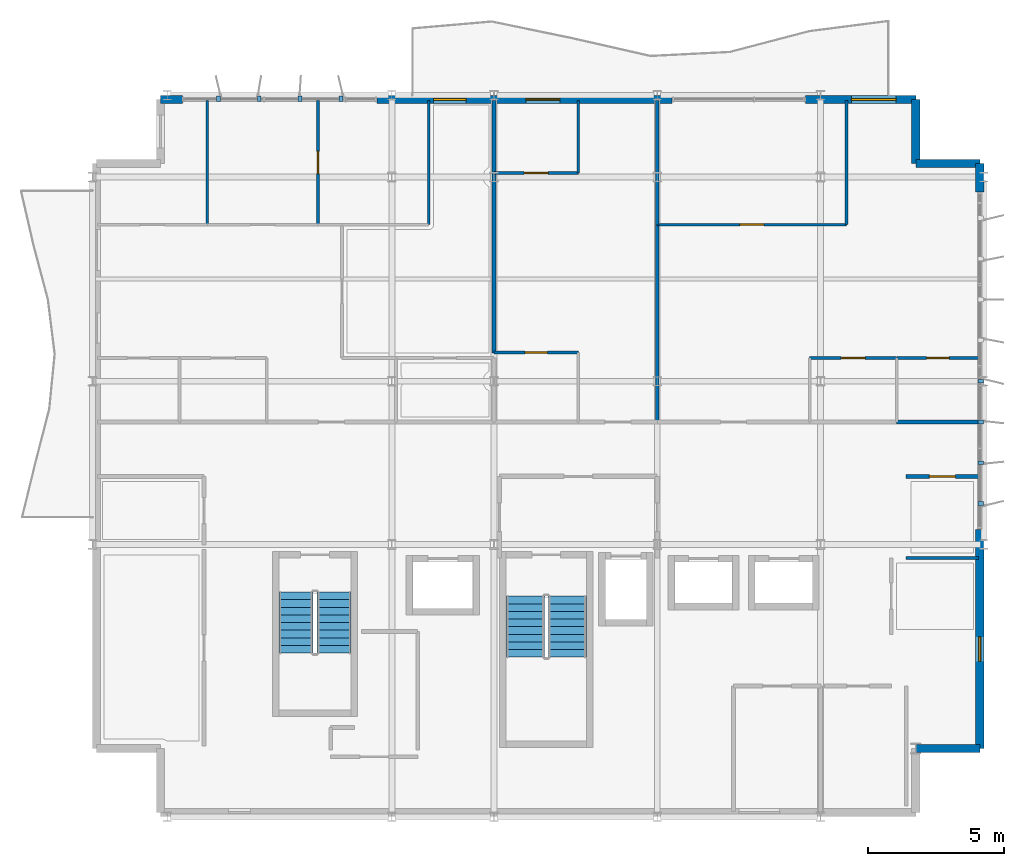
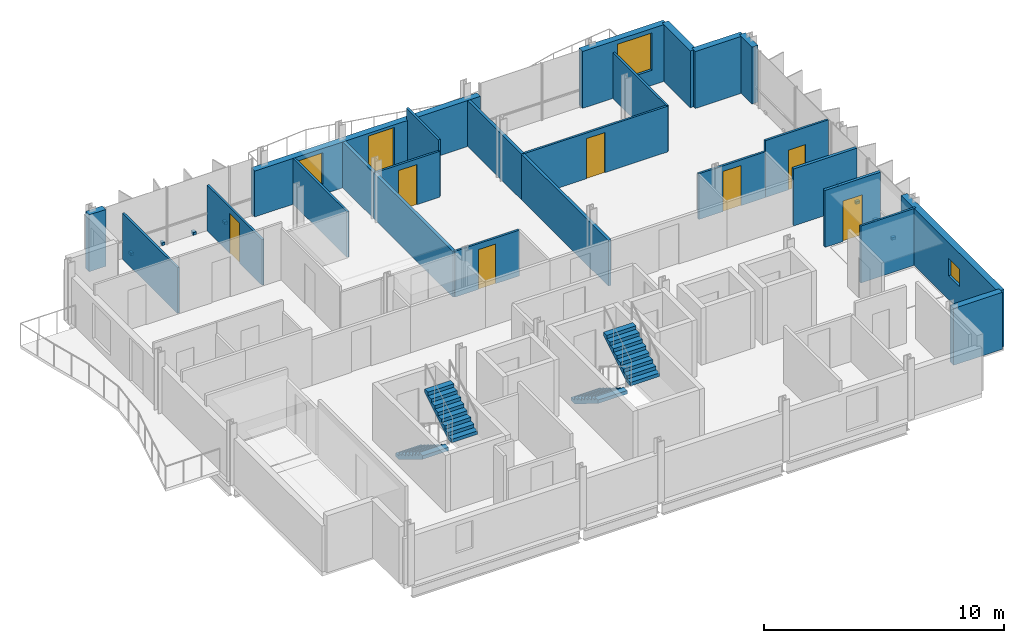
# One storey, part 10 of 13: 25 walls, 8 discrete accessories, 8 doors, 4 stair flights, 3 windows, 11 openings, 2 elements without a shape of their own.
"""IFC4 building model written with IfcOpenShell, lengths in metres."""

from ifc_helpers import new_model, si_unit, direction, frame, frame_2d, origin, origin_2d, place, context, subcontext, project, spatial, polyline, rectangle, outline, extrude, material, layer, layer_set, type_object, element, fill, aggregate, save


model = new_model("IFC4")

# Units and contexts
model_context = context("Model", 3, precision=1e-05, world=origin(), true_north=direction((0.0, 1.0)))
body_context = subcontext(model_context, "Body", "Model", "MODEL_VIEW")
ifc_project = project(units=[si_unit("LENGTHUNIT", "METRE"), si_unit("AREAUNIT", "SQUARE_METRE"), si_unit("VOLUMEUNIT", "CUBIC_METRE"), si_unit("PLANEANGLEUNIT", "RADIAN"), si_unit("MASSUNIT", "GRAM", prefix="KILO")], contexts=[model_context])

# Site, building, storey
site_placement = place(None, origin())
site = spatial("IfcSite", under=ifc_project, at=site_placement, CompositionType="ELEMENT")
building_placement = place(site_placement, origin())
building = spatial("IfcBuilding", under=site, at=building_placement, Name="Brevholm Reach", CompositionType="ELEMENT")
storey_placement = place(building_placement, frame((0.0, 0.0, 224.199951171875)))
storey = spatial("IfcBuildingStorey", under=building, at=storey_placement, Name="L68", CompositionType="ELEMENT", Elevation=224.199951171875)

# Walls
ifc_material_1 = material(Name="Concrete C40/50", Category="concrete")
ifc_layer_1 = layer(ifc_material_1, 0.300048828125)
ifc_layer_set_1 = layer_set([ifc_layer_1], Name="Concrete C40/50")
wall_type_1 = type_object("IfcWallType", Name="WAL-EXT-300", PredefinedType="STANDARD", material=ifc_layer_set_1)
for number, where, z_axis, x_axis, name in (
    (1, (57.5, 2.5, 0.0), (0.0, 0.0, 1.0), (1.0, 0.0, 0.0), "L68 Facade Wall WAL-L68-CSE2"),
    (2, (59.85009765625, 24.0, 0.0), (0.0, 0.0, 1.0), (-1.0, 0.0, 0.0), "L68 Facade Wall WAL-L68-CNE1"),
    (3, (57.5, 24.0, 0.0), (0.0, 0.0, 1.0), (0.0, 1.0, 0.0), "L68 Facade Wall WAL-L68-CNE2"),
):
    element("IfcWall", number, at=place(storey_placement, frame(where, z_axis=z_axis, x_axis=x_axis)), inside=storey, type_object=wall_type_1, Name=name, PredefinedType="STANDARD", context=body_context, shape_type="SweptSolid", body=[
        extrude(rectangle(XDim=2.35009765625, YDim=0.300048828125, at=frame_2d((1.175048828125, 0.0))), origin(), (0.0, 0.0, 1.0), 2.89013671875),
    ])

# Wall, opening, window
wall_1_placement = place(storey_placement, frame((59.85009765625, 2.5, 0.0), z_axis=(0.0, 0.0, 1.0), x_axis=(0.0, 1.0, 0.0)))
wall_1 = element("IfcWall", 4, at=wall_1_placement, inside=storey, type_object=wall_type_1, Name="L68 Facade Wall WAL-L68-E-S", PredefinedType="STANDARD", context=body_context, shape_type="SweptSolid", body=[
    extrude(rectangle(XDim=8.050048828125, YDim=0.300048828125, at=frame_2d((4.02490234375, 0.0))), origin(), (0.0, 0.0, 1.0), 2.89013671875),
])
opening_1_placement = place(wall_1_placement, frame((3.199951171875, 0.0, 1.199951171875)))
opening_1 = element("IfcOpeningElement", 5, at=opening_1_placement, cuts=wall_1, Name="Opening WN-09", PredefinedType="OPENING", context=body_context, shape_type="SweptSolid", body=[
    extrude(rectangle(XDim=0.89990234375, YDim=0.89990234375, at=frame_2d((0.449951171875, 0.449951171875))), frame((0.0, 0.159912109375, 0.0), z_axis=(0.0, -1.0, 0.0), x_axis=(1.0, 0.0, 0.0)), (0.0, 0.0, 1.0), 0.320068359375),
])
ifc_material_2 = material(Name="Dark Anodised Aluminium and Solar-Control IGU Glass", Category="aluminium")
window_type_1 = type_object("IfcWindowType", Name="WIN-POR-0900", PartitioningType="SINGLE_PANEL", PredefinedType="WINDOW", material=ifc_material_2)
window_1_placement = place(opening_1_placement, origin())
window_1 = element("IfcWindow", 6, at=window_1_placement, inside=storey, type_object=window_type_1, Name="L68 Window WIN-L68-ES-1", OverallHeight=0.89990234375, OverallWidth=0.89990234375, PartitioningType="SINGLE_PANEL", PredefinedType="WINDOW", context=body_context, shape_type="SweptSolid", body=[
    extrude(rectangle(XDim=0.89990234375, YDim=0.89990234375, at=frame_2d((0.449951171875, 0.449951171875))), frame((0.0, 0.030029296875, 0.0), z_axis=(0.0, -1.0, 0.0), x_axis=(1.0, 0.0, 0.0)), (0.0, 0.0, 1.0), 0.06005859375),
])
fill(opening_1, window_1)

# Walls
wall_2_placement = place(storey_placement, frame((59.85009765625, 22.949951171875, 0.0), z_axis=(0.0, 0.0, 1.0), x_axis=(0.0, 1.0, 0.0)))
element("IfcWall", 7, at=wall_2_placement, inside=storey, type_object=wall_type_1, Name="L68 Facade Wall WAL-L68-E-TOP", PredefinedType="STANDARD", context=body_context, shape_type="SweptSolid", body=[
    extrude(rectangle(XDim=1.050048828125, YDim=0.300048828125, at=frame_2d((0.52490234375, 0.0))), origin(), (0.0, 0.0, 1.0), 2.89013671875),
])
wall_3_placement = place(storey_placement, frame((29.75, 26.35009765625, 0.0), z_axis=(0.0, 0.0, 1.0), x_axis=(1.0, 0.0, 0.0)))
element("IfcWall", 8, at=wall_3_placement, inside=storey, type_object=wall_type_1, Name="L68 Facade Wall WAL-L68-NP-1", PredefinedType="STANDARD", context=body_context, shape_type="SweptSolid", body=[
    extrude(rectangle(XDim=0.800048828125, YDim=0.300048828125, at=frame_2d((0.39990234375, 0.0))), origin(), (0.0, 0.0, 1.0), 2.89013671875),
])

# Wall, openings, door, window
wall_4_placement = place(storey_placement, frame((37.699951171875, 26.35009765625, 0.0), z_axis=(0.0, 0.0, 1.0), x_axis=(1.0, 0.0, 0.0)))
wall_4 = element("IfcWall", 9, at=wall_4_placement, inside=storey, type_object=wall_type_1, Name="L68 Facade Wall WAL-L68-NP-2", PredefinedType="STANDARD", context=body_context, shape_type="SweptSolid", body=[
    extrude(rectangle(XDim=10.85009765625, YDim=0.300048828125, at=frame_2d((5.425048828125, 0.0))), origin(), (0.0, 0.0, 1.0), 2.33203125),
])
opening_2_placement = place(wall_4_placement, frame((5.47509765625, 0.0, 0.0)))
opening_2 = element("IfcOpeningElement", 10, at=opening_2_placement, cuts=wall_4, Name="Opening BD-02", PredefinedType="OPENING", context=body_context, shape_type="SweptSolid", body=[
    extrude(rectangle(XDim=1.25, YDim=2.199951171875, at=frame_2d((0.625, 1.10009765625))), frame((0.0, 0.159912109375, 0.0), z_axis=(0.0, -1.0, 0.0), x_axis=(1.0, 0.0, 0.0)), (0.0, 0.0, 1.0), 0.320068359375),
])
opening_3_placement = place(wall_4_placement, frame((2.0810546875, 0.0, 0.511962890625)))
opening_3 = element("IfcOpeningElement", 11, at=opening_3_placement, cuts=wall_4, Name="Opening WN-08", PredefinedType="OPENING", context=body_context, shape_type="SweptSolid", body=[
    extrude(rectangle(XDim=1.199951171875, YDim=1.60009765625, at=frame_2d((0.60009765625, 0.800048828125))), frame((0.0, 0.159912109375, 0.0), z_axis=(0.0, -1.0, 0.0), x_axis=(1.0, 0.0, 0.0)), (0.0, 0.0, 1.0), 0.320068359375),
])
ifc_material_3 = material(Name="Dark Anodised Aluminium and Triple-Glazed Glass", Category="aluminium")
door_type_1 = type_object("IfcDoorType", Name="DOR-BALC-1250", OperationType="NOTDEFINED", PredefinedType="DOOR", material=ifc_material_3)
door_1_placement = place(opening_2_placement, origin())
door_1 = element("IfcDoor", 12, at=door_1_placement, inside=storey, type_object=door_type_1, Name="L68 Exterior Door DOR-L68-BL-NE", OperationType="SINGLE_SWING_RIGHT", OverallHeight=2.199951171875, OverallWidth=1.25, PredefinedType="DOOR", context=body_context, shape_type="SweptSolid", body=[
    extrude(rectangle(XDim=1.25, YDim=2.199951171875, at=frame_2d((0.625, 1.10009765625))), frame((0.0, 0.02490234375, 0.0), z_axis=(0.0, -1.0, 0.0), x_axis=(1.0, 0.0, 0.0)), (0.0, 0.0, 1.0), 0.050048828125),
])
fill(opening_2, door_1)
ifc_material_4 = material(Name="Dark Anodised Aluminium and Solar-Control IGU Glass", Category="aluminium")
window_type_2 = type_object("IfcWindowType", Name="WIN-RES-1200", PartitioningType="SINGLE_PANEL", PredefinedType="WINDOW", material=ifc_material_4)
window_2_placement = place(opening_3_placement, origin())
window_2 = element("IfcWindow", 13, at=window_2_placement, inside=storey, type_object=window_type_2, Name="L68 Window WIN-L68-NP-2", OverallHeight=1.60009765625, OverallWidth=1.199951171875, PartitioningType="SINGLE_PANEL", PredefinedType="WINDOW", context=body_context, shape_type="SweptSolid", body=[
    extrude(rectangle(XDim=1.199951171875, YDim=1.60009765625, at=frame_2d((0.60009765625, 0.800048828125))), frame((0.0, 0.030029296875, 0.0), z_axis=(0.0, -1.0, 0.0), x_axis=(1.0, 0.0, 0.0)), (0.0, 0.0, 1.0), 0.06005859375),
])
fill(opening_3, window_2)

# Wall, opening, window
wall_5_placement = place(storey_placement, frame((53.449951171875, 26.35009765625, 0.0), z_axis=(0.0, 0.0, 1.0), x_axis=(1.0, 0.0, 0.0)))
wall_5 = element("IfcWall", 14, at=wall_5_placement, inside=storey, type_object=wall_type_1, Name="L68 Facade Wall WAL-L68-NP-4", PredefinedType="STANDARD", context=body_context, shape_type="SweptSolid", body=[
    extrude(rectangle(XDim=4.050048828125, YDim=0.300048828125, at=frame_2d((2.02490234375, 0.0))), origin(), (0.0, 0.0, 1.0), 2.89013671875),
])
opening_4_placement = place(wall_5_placement, frame((1.679931640625, 0.0, 0.77001953125)))
opening_4 = element("IfcOpeningElement", 15, at=opening_4_placement, cuts=wall_5, Name="Opening WN-06", PredefinedType="OPENING", context=body_context, shape_type="SweptSolid", body=[
    extrude(rectangle(XDim=1.64990234375, YDim=1.89990234375, at=frame_2d((0.824951171875, 0.949951171875))), frame((0.0, 0.159912109375, 0.0), z_axis=(0.0, -1.0, 0.0), x_axis=(1.0, 0.0, 0.0)), (0.0, 0.0, 1.0), 0.320068359375),
])
ifc_material_5 = material(Name="Dark Anodised Aluminium and Solar-Control IGU Glass", Category="aluminium")
window_type_3 = type_object("IfcWindowType", Name="WIN-RES-1650", PartitioningType="SINGLE_PANEL", PredefinedType="WINDOW", material=ifc_material_5)
window_3_placement = place(opening_4_placement, origin())
window_3 = element("IfcWindow", 16, at=window_3_placement, inside=storey, type_object=window_type_3, Name="L68 Window WIN-L68-NP-4", OverallHeight=1.89990234375, OverallWidth=1.64990234375, PartitioningType="SINGLE_PANEL", PredefinedType="WINDOW", context=body_context, shape_type="SweptSolid", body=[
    extrude(rectangle(XDim=1.64990234375, YDim=1.89990234375, at=frame_2d((0.824951171875, 0.949951171875))), frame((0.0, 0.030029296875, 0.0), z_axis=(0.0, -1.0, 0.0), x_axis=(1.0, 0.0, 0.0)), (0.0, 0.0, 1.0), 0.06005859375),
])
fill(opening_4, window_3)

# Walls
ifc_material_6 = material(Name="Moisture-Resistant Acoustic Gypsum Stud Partition 100 mm", Category="gypsum")
ifc_layer_2 = layer(ifc_material_6, 0.10009765625)
ifc_layer_set_2 = layer_set([ifc_layer_2], Name="Moisture-Resistant Acoustic Gypsum Stud Partition 100 mm")
wall_type_2 = type_object("IfcWallType", Name="WAL-PRT-100", PredefinedType="PARTITIONING", material=ifc_layer_set_2)
wall_6_placement = place(storey_placement, frame((57.138671875, 9.5, 0.0), z_axis=(0.0, 0.0, 1.0), x_axis=(1.0, 0.0, 0.0)))
element("IfcWall", 17, at=wall_6_placement, inside=storey, type_object=wall_type_2, Name="L68 Internal Partition 012", PredefinedType="PARTITIONING", context=body_context, shape_type="SweptSolid", body=[
    extrude(rectangle(XDim=2.661376953125, YDim=0.10009765625, at=frame_2d((1.33056640625, 0.0))), origin(), (0.0, 0.0, 1.0), 2.89013671875),
])
wall_7_placement = place(storey_placement, frame((31.467041015625, 21.75, 0.0), z_axis=(0.0, 0.0, 1.0), x_axis=(0.0, 1.0, 0.0)))
element("IfcWall", 18, at=wall_7_placement, inside=storey, type_object=wall_type_2, Name="L68 Internal Partition 031", PredefinedType="PARTITIONING", context=body_context, shape_type="SweptSolid", body=[
    extrude(rectangle(XDim=4.570068359375, YDim=0.10009765625, at=frame_2d((2.28515625, 0.0))), origin(), (0.0, 0.0, 1.0), 2.325439453125),
])

# Wall, opening, door
wall_8_placement = place(storey_placement, frame((35.533935546875, 21.75, 0.0), z_axis=(0.0, 0.0, 1.0), x_axis=(0.0, 1.0, 0.0)))
wall_8 = element("IfcWall", 19, at=wall_8_placement, inside=storey, type_object=wall_type_2, Name="L68 Internal Partition 033", PredefinedType="PARTITIONING", context=body_context, shape_type="SweptSolid", body=[
    extrude(rectangle(XDim=4.570068359375, YDim=0.10009765625, at=frame_2d((2.28515625, 0.0))), origin(), (0.0, 0.0, 1.0), 2.325439453125),
])
opening_5_placement = place(wall_8_placement, frame((1.875, 0.0, 0.0)))
opening_5 = element("IfcOpeningElement", 20, at=opening_5_placement, cuts=wall_8, Name="Opening ID-03", PredefinedType="OPENING", context=body_context, shape_type="SweptSolid", body=[
    extrude(rectangle(XDim=0.820068359375, YDim=2.02001953125, at=frame_2d((0.41015625, 1.010009765625))), frame((0.0, 0.06005859375, 0.0), z_axis=(0.0, -1.0, 0.0), x_axis=(1.0, 0.0, 0.0)), (0.0, 0.0, 1.0), 0.1201171875),
])
ifc_material_7 = material(Name="Moisture-Resistant Painted Timber Internal Bathroom Door", Category="wood")
door_type_2 = type_object("IfcDoorType", Name="DOR-BATH-820", OperationType="NOTDEFINED", PredefinedType="DOOR", material=ifc_material_7)
door_2_placement = place(opening_5_placement, origin())
door_2 = element("IfcDoor", 21, at=door_2_placement, inside=storey, type_object=door_type_2, Name="L68 Access Door 025", OperationType="SINGLE_SWING_LEFT", OverallHeight=2.02001953125, OverallWidth=0.820068359375, PredefinedType="DOOR", context=body_context, shape_type="SweptSolid", body=[
    extrude(rectangle(XDim=0.820068359375, YDim=2.02001953125, at=frame_2d((0.41015625, 1.010009765625))), frame((0.0, 0.02490234375, 0.0), z_axis=(0.0, -1.0, 0.0), x_axis=(1.0, 0.0, 0.0)), (0.0, 0.0, 1.0), 0.050048828125),
])
fill(opening_5, door_2)

# Wall
wall_9_placement = place(storey_placement, frame((39.60107421875, 21.75, 0.0), z_axis=(0.0, 0.0, 1.0), x_axis=(0.0, 1.0, 0.0)))
element("IfcWall", 22, at=wall_9_placement, inside=storey, type_object=wall_type_2, Name="L68 Internal Partition 035", PredefinedType="PARTITIONING", context=body_context, shape_type="SweptSolid", body=[
    extrude(rectangle(XDim=4.570068359375, YDim=0.10009765625, at=frame_2d((2.28515625, 0.0))), origin(), (0.0, 0.0, 1.0), 2.325439453125),
])

# Wall, opening, door
wall_10_placement = place(storey_placement, frame((42.00390625, 17.050048828125, 0.0), z_axis=(0.0, 0.0, 1.0), x_axis=(1.0, 0.0, 0.0)))
wall_10 = element("IfcWall", 23, at=wall_10_placement, inside=storey, type_object=wall_type_2, Name="L68 Internal Partition 043", PredefinedType="PARTITIONING", context=body_context, shape_type="SweptSolid", body=[
    extrude(rectangle(XDim=3.09619140625, YDim=0.10009765625, at=frame_2d((1.548095703125, 0.0))), origin(), (0.0, 0.0, 1.0), 2.325439453125),
])
opening_6_placement = place(wall_10_placement, frame((1.137939453125, 0.0, 0.0)))
opening_6 = element("IfcOpeningElement", 24, at=opening_6_placement, cuts=wall_10, Name="Opening ID-03", PredefinedType="OPENING", context=body_context, shape_type="SweptSolid", body=[
    extrude(rectangle(XDim=0.820068359375, YDim=2.02001953125, at=frame_2d((0.41015625, 1.010009765625))), frame((0.0, 0.06005859375, 0.0), z_axis=(0.0, -1.0, 0.0), x_axis=(1.0, 0.0, 0.0)), (0.0, 0.0, 1.0), 0.1201171875),
])
door_3_placement = place(opening_6_placement, origin())
door_3 = element("IfcDoor", 25, at=door_3_placement, inside=storey, type_object=door_type_2, Name="L68 Internal Door 019", OperationType="SINGLE_SWING_LEFT", OverallHeight=2.02001953125, OverallWidth=0.820068359375, PredefinedType="DOOR", context=body_context, shape_type="SweptSolid", body=[
    extrude(rectangle(XDim=0.820068359375, YDim=2.02001953125, at=frame_2d((0.41015625, 1.010009765625))), frame((0.0, 0.02490234375, 0.0), z_axis=(0.0, -1.0, 0.0), x_axis=(1.0, 0.0, 0.0)), (0.0, 0.0, 1.0), 0.050048828125),
])
fill(opening_6, door_3)

# Wall
wall_11_placement = place(storey_placement, frame((45.10009765625, 23.64990234375, 0.0), z_axis=(0.0, 0.0, 1.0), x_axis=(0.0, 1.0, 0.0)))
element("IfcWall", 26, at=wall_11_placement, inside=storey, type_object=wall_type_2, Name="L68 Internal Partition 044", PredefinedType="PARTITIONING", context=body_context, shape_type="SweptSolid", body=[
    extrude(rectangle(XDim=2.670166015625, YDim=0.10009765625, at=frame_2d((1.3349609375, 0.0))), origin(), (0.0, 0.0, 1.0), 2.89013671875),
])

# Wall, opening, door
wall_12_placement = place(storey_placement, frame((42.00390625, 23.64990234375, 0.0), z_axis=(0.0, 0.0, 1.0), x_axis=(1.0, 0.0, 0.0)))
wall_12 = element("IfcWall", 27, at=wall_12_placement, inside=storey, type_object=wall_type_2, Name="L68 Internal Partition 045", PredefinedType="PARTITIONING", context=body_context, shape_type="SweptSolid", body=[
    extrude(rectangle(XDim=3.09619140625, YDim=0.10009765625, at=frame_2d((1.548095703125, 0.0))), origin(), (0.0, 0.0, 1.0), 2.325439453125),
])
opening_7_placement = place(wall_12_placement, frame((1.10791015625, 0.0, 0.0)))
opening_7 = element("IfcOpeningElement", 28, at=opening_7_placement, cuts=wall_12, Name="Opening ID-01", PredefinedType="OPENING", context=body_context, shape_type="SweptSolid", body=[
    extrude(rectangle(XDim=0.8798828125, YDim=2.0400390625, at=frame_2d((0.43994140625, 1.02001953125))), frame((0.0, 0.06005859375, 0.0), z_axis=(0.0, -1.0, 0.0), x_axis=(1.0, 0.0, 0.0)), (0.0, 0.0, 1.0), 0.1201171875),
])
ifc_material_8 = material(Name="Lacquered Ash Solid-Core Acoustic Internal Door", Category="timber")
door_type_3 = type_object("IfcDoorType", Name="DOR-INT-880", OperationType="NOTDEFINED", PredefinedType="DOOR", material=ifc_material_8)
door_4_placement = place(opening_7_placement, origin())
door_4 = element("IfcDoor", 29, at=door_4_placement, inside=storey, type_object=door_type_3, Name="L68 Internal Door 020", OperationType="SINGLE_SWING_RIGHT", OverallHeight=2.0400390625, OverallWidth=0.8798828125, PredefinedType="DOOR", context=body_context, shape_type="SweptSolid", body=[
    extrude(rectangle(XDim=0.8798828125, YDim=2.0400390625, at=frame_2d((0.43994140625, 1.02001953125))), frame((0.0, 0.02490234375, 0.0), z_axis=(0.0, -1.0, 0.0), x_axis=(1.0, 0.0, 0.0)), (0.0, 0.0, 1.0), 0.050048828125),
])
fill(opening_7, door_4)

wall_13_placement = place(storey_placement, frame((56.800048828125, 16.85009765625, 0.0), z_axis=(0.0, 0.0, 1.0), x_axis=(1.0, 0.0, 0.0)))
wall_13 = element("IfcWall", 30, at=wall_13_placement, inside=storey, type_object=wall_type_2, Name="L68 Internal Partition 049", PredefinedType="PARTITIONING", context=body_context, shape_type="SweptSolid", body=[
    extrude(rectangle(XDim=3.02001953125, YDim=0.10009765625, at=frame_2d((1.510009765625, 0.0))), origin(), (0.0, 0.0, 1.0), 2.89013671875),
])
opening_8_placement = place(wall_13_placement, frame((1.10009765625, 0.0, 0.0)))
opening_8 = element("IfcOpeningElement", 31, at=opening_8_placement, cuts=wall_13, Name="Opening ID-03", PredefinedType="OPENING", context=body_context, shape_type="SweptSolid", body=[
    extrude(rectangle(XDim=0.820068359375, YDim=2.02001953125, at=frame_2d((0.41015625, 1.010009765625))), frame((0.0, 0.06005859375, 0.0), z_axis=(0.0, -1.0, 0.0), x_axis=(1.0, 0.0, 0.0)), (0.0, 0.0, 1.0), 0.1201171875),
])
door_5_placement = place(opening_8_placement, origin())
door_5 = element("IfcDoor", 32, at=door_5_placement, inside=storey, type_object=door_type_2, Name="L68 Internal Door 021", OperationType="SINGLE_SWING_LEFT", OverallHeight=2.02001953125, OverallWidth=0.820068359375, PredefinedType="DOOR", context=body_context, shape_type="SweptSolid", body=[
    extrude(rectangle(XDim=0.820068359375, YDim=2.02001953125, at=frame_2d((0.41015625, 1.010009765625))), frame((0.0, 0.02490234375, 0.0), z_axis=(0.0, -1.0, 0.0), x_axis=(1.0, 0.0, 0.0)), (0.0, 0.0, 1.0), 0.050048828125),
])
fill(opening_8, door_5)

wall_14_placement = place(storey_placement, frame((53.60009765625, 16.85009765625, 0.0), z_axis=(0.0, 0.0, 1.0), x_axis=(1.0, 0.0, 0.0)))
wall_14 = element("IfcWall", 33, at=wall_14_placement, inside=storey, type_object=wall_type_2, Name="L68 Internal Partition 050", PredefinedType="PARTITIONING", context=body_context, shape_type="SweptSolid", body=[
    extrude(rectangle(XDim=3.19580078125, YDim=0.10009765625, at=frame_2d((1.597900390625, 0.0))), origin(), (0.0, 0.0, 1.0), 2.325439453125),
])
opening_9_placement = place(wall_14_placement, frame((1.157958984375, 0.0, 0.0)))
opening_9 = element("IfcOpeningElement", 34, at=opening_9_placement, cuts=wall_14, Name="Opening ID-01", PredefinedType="OPENING", context=body_context, shape_type="SweptSolid", body=[
    extrude(rectangle(XDim=0.8798828125, YDim=2.0400390625, at=frame_2d((0.43994140625, 1.02001953125))), frame((0.0, 0.06005859375, 0.0), z_axis=(0.0, -1.0, 0.0), x_axis=(1.0, 0.0, 0.0)), (0.0, 0.0, 1.0), 0.1201171875),
])
door_6_placement = place(opening_9_placement, origin())
door_6 = element("IfcDoor", 35, at=door_6_placement, inside=storey, type_object=door_type_3, Name="L68 Internal Door 022", OperationType="SINGLE_SWING_RIGHT", OverallHeight=2.0400390625, OverallWidth=0.8798828125, PredefinedType="DOOR", context=body_context, shape_type="SweptSolid", body=[
    extrude(rectangle(XDim=0.8798828125, YDim=2.0400390625, at=frame_2d((0.43994140625, 1.02001953125))), frame((0.0, 0.02490234375, 0.0), z_axis=(0.0, -1.0, 0.0), x_axis=(1.0, 0.0, 0.0)), (0.0, 0.0, 1.0), 0.050048828125),
])
fill(opening_9, door_6)

# Wall
wall_15_placement = place(storey_placement, frame((54.949951171875, 21.75, 0.0), z_axis=(0.0, 0.0, 1.0), x_axis=(0.0, 1.0, 0.0)))
element("IfcWall", 36, at=wall_15_placement, inside=storey, type_object=wall_type_2, Name="L68 Internal Partition 052", PredefinedType="PARTITIONING", context=body_context, shape_type="SweptSolid", body=[
    extrude(rectangle(XDim=4.570068359375, YDim=0.10009765625, at=frame_2d((2.28515625, 0.0))), origin(), (0.0, 0.0, 1.0), 2.325439453125),
])

# Wall, opening, door
wall_16_placement = place(storey_placement, frame((48.00390625, 21.75, 0.0), z_axis=(0.0, 0.0, 1.0), x_axis=(1.0, 0.0, 0.0)))
wall_16 = element("IfcWall", 37, at=wall_16_placement, inside=storey, type_object=wall_type_2, Name="L68 Internal Partition 053", PredefinedType="PARTITIONING", context=body_context, shape_type="SweptSolid", body=[
    extrude(rectangle(XDim=6.946044921875, YDim=0.10009765625, at=frame_2d((3.47314453125, 0.0))), origin(), (0.0, 0.0, 1.0), 2.325439453125),
])
opening_10_placement = place(wall_16_placement, frame((3.032958984375, 0.0, 0.0)))
opening_10 = element("IfcOpeningElement", 38, at=opening_10_placement, cuts=wall_16, Name="Opening ID-01", PredefinedType="OPENING", context=body_context, shape_type="SweptSolid", body=[
    extrude(rectangle(XDim=0.8798828125, YDim=2.0400390625, at=frame_2d((0.43994140625, 1.02001953125))), frame((0.0, 0.06005859375, 0.0), z_axis=(0.0, -1.0, 0.0), x_axis=(1.0, 0.0, 0.0)), (0.0, 0.0, 1.0), 0.1201171875),
])
door_7_placement = place(opening_10_placement, origin())
door_7 = element("IfcDoor", 39, at=door_7_placement, inside=storey, type_object=door_type_3, Name="L68 Internal Door 023", OperationType="SINGLE_SWING_LEFT", OverallHeight=2.0400390625, OverallWidth=0.8798828125, PredefinedType="DOOR", context=body_context, shape_type="SweptSolid", body=[
    extrude(rectangle(XDim=0.8798828125, YDim=2.0400390625, at=frame_2d((0.43994140625, 1.02001953125))), frame((0.0, 0.02490234375, 0.0), z_axis=(0.0, -1.0, 0.0), x_axis=(1.0, 0.0, 0.0)), (0.0, 0.0, 1.0), 0.050048828125),
])
fill(opening_10, door_7)

ifc_material_9 = material(Name="Twin-Stud Acoustic Fire-Rated Gypsum Partition 140 mm", Category="gypsum")
ifc_layer_3 = layer(ifc_material_9, 0.139892578125)
ifc_layer_set_3 = layer_set([ifc_layer_3], Name="Twin-Stud Acoustic Fire-Rated Gypsum Partition 140 mm")
wall_type_3 = type_object("IfcWallType", Name="WAL-PRT-140", PredefinedType="PARTITIONING", material=ifc_layer_set_3)
wall_17_placement = place(storey_placement, frame((57.138671875, 12.5, 0.0), z_axis=(0.0, 0.0, 1.0), x_axis=(1.0, 0.0, 0.0)))
wall_17 = element("IfcWall", 40, at=wall_17_placement, inside=storey, type_object=wall_type_3, Name="L68 Internal Partition 013", PredefinedType="PARTITIONING", context=body_context, shape_type="SweptSolid", body=[
    extrude(rectangle(XDim=2.672607421875, YDim=0.139892578125, at=frame_2d((1.33642578125, 0.0))), origin(), (0.0, 0.0, 1.0), 2.89013671875),
])
opening_11_placement = place(wall_17_placement, frame((0.861328125, 0.0, 0.0)))
opening_11 = element("IfcOpeningElement", 41, at=opening_11_placement, cuts=wall_17, Name="Opening ID-30", PredefinedType="OPENING", context=body_context, shape_type="SweptSolid", body=[
    extrude(rectangle(XDim=0.949951171875, YDim=2.050048828125, at=frame_2d((0.47509765625, 1.02490234375))), frame((0.0, 0.079833984375, 0.0), z_axis=(0.0, -1.0, 0.0), x_axis=(1.0, 0.0, 0.0)), (0.0, 0.0, 1.0), 0.159912109375),
])
ifc_material_10 = material(Name="European Oak Veneered Solid-Core Fire Entrance Door", Category="timber")
door_type_4 = type_object("IfcDoorType", Name="DOR-FLT-FD30S", OperationType="NOTDEFINED", PredefinedType="DOOR", material=ifc_material_10)
door_8_placement = place(opening_11_placement, origin())
door_8 = element("IfcDoor", 42, at=door_8_placement, inside=storey, type_object=door_type_4, Name="L68 Internal Door 010", OperationType="SINGLE_SWING_RIGHT", OverallHeight=2.050048828125, OverallWidth=0.949951171875, PredefinedType="DOOR", context=body_context, shape_type="SweptSolid", body=[
    extrude(rectangle(XDim=0.949951171875, YDim=2.050048828125, at=frame_2d((0.47509765625, 1.02490234375))), frame((0.0, 0.02490234375, 0.0), z_axis=(0.0, -1.0, 0.0), x_axis=(1.0, 0.0, 0.0)), (0.0, 0.0, 1.0), 0.050048828125),
])
fill(opening_11, door_8)

# Walls
wall_18_placement = place(storey_placement, frame((56.788818359375, 14.5, 0.0), z_axis=(0.0, 0.0, 1.0), x_axis=(1.0, 0.0, 0.0)))
element("IfcWall", 43, at=wall_18_placement, inside=storey, type_object=wall_type_3, Name="L68 Internal Partition 021", PredefinedType="PARTITIONING", context=body_context, shape_type="SweptSolid", body=[
    extrude(rectangle(XDim=3.03125, YDim=0.139892578125, at=frame_2d((1.515625, 0.0))), origin(), (0.0, 0.0, 1.0), 2.89013671875),
])
wall_19_placement = place(storey_placement, frame((42.0, 23.638671875, 0.0), z_axis=(0.0, 0.0, 1.0), x_axis=(0.0, 1.0, 0.0)))
element("IfcWall", 44, at=wall_19_placement, inside=storey, type_object=wall_type_3, Name="L68 Internal Partition 040", PredefinedType="PARTITIONING", context=body_context, shape_type="SweptSolid", body=[
    extrude(rectangle(XDim=2.681396484375, YDim=0.139892578125, at=frame_2d((1.3408203125, 0.0))), origin(), (0.0, 0.0, 1.0), 2.325439453125),
])
wall_20_placement = place(storey_placement, frame((42.0, 17.042724609375, 0.0), z_axis=(0.0, 0.0, 1.0), x_axis=(0.0, 1.0, 0.0)))
element("IfcWall", 45, at=wall_20_placement, inside=storey, type_object=wall_type_3, Name="L68 Internal Partition 041", PredefinedType="PARTITIONING", context=body_context, shape_type="SweptSolid", body=[
    extrude(rectangle(XDim=6.614501953125, YDim=0.139892578125, at=frame_2d((3.30712890625, 0.0))), origin(), (0.0, 0.0, 1.0), 2.325439453125),
])
wall_21_placement = place(storey_placement, frame((48.0, 21.73876953125, 0.0), z_axis=(0.0, 0.0, 1.0), x_axis=(0.0, 1.0, 0.0)))
element("IfcWall", 46, at=wall_21_placement, inside=storey, type_object=wall_type_3, Name="L68 Internal Partition 046", PredefinedType="PARTITIONING", context=body_context, shape_type="SweptSolid", body=[
    extrude(rectangle(XDim=4.581298828125, YDim=0.139892578125, at=frame_2d((2.29052734375, 0.0))), origin(), (0.0, 0.0, 1.0), 2.325439453125),
])
wall_22_placement = place(storey_placement, frame((48.0, 14.50390625, 0.0), z_axis=(0.0, 0.0, 1.0), x_axis=(0.0, 1.0, 0.0)))
element("IfcWall", 47, at=wall_22_placement, inside=storey, type_object=wall_type_3, Name="L68 Internal Partition 047", PredefinedType="PARTITIONING", context=body_context, shape_type="SweptSolid", body=[
    extrude(rectangle(XDim=7.25341796875, YDim=0.139892578125, at=frame_2d((3.626708984375, 0.0))), origin(), (0.0, 0.0, 1.0), 2.325439453125),
])

# Stair, stair flights
ifc_material_11 = material(Name="Precast Concrete C40/50", Category="concrete")
stair_type_1 = type_object("IfcStairType", Name="STR-ESC-1250", PredefinedType="DOUBLE_RETURN_STAIR", material=ifc_material_11)
stair_1_placement = place(storey_placement, origin())
stair_1 = element("IfcStair", 48, at=stair_1_placement, inside=storey, type_object=stair_type_1, Name="L68 ST-3", PredefinedType="DOUBLE_RETURN_STAIR")
ifc_material_12 = material(Name="Precast Concrete C40/50", Category="concrete")
ifc_layer_4 = layer(ifc_material_12, 0.1650390625)
ifc_layer_set_4 = layer_set([ifc_layer_4], Name="Precast Concrete C40/50")
stair_flight_type_1 = type_object("IfcStairFlightType", Name="STF-PRC-165", PredefinedType="STRAIGHT", material=ifc_layer_set_4)
stair_flight_1_placement = place(storey_placement, frame((34.72509765625, 8.25, 0.0), z_axis=(0.0, 0.0, 1.0), x_axis=(0.0, -1.0, 0.0)))
stair_flight_1 = element("IfcStairFlight", 49, at=stair_flight_1_placement, type_object=stair_flight_type_1, Name="ST-3 flight 1", NumberOfRisers=9, NumberOfTreads=8, PredefinedType="STRAIGHT", RiserHeight=0.172222222, TreadLength=0.28, context=body_context, shape_type="SweptSolid", body=[
    extrude(outline(polyline([(0.0, 0.0), (0.0, 0.172119140625), (0.280029296875, 0.172119140625), (0.280029296875, 0.344482421875), (0.56005859375, 0.344482421875), (0.56005859375, 0.5166015625), (0.840087890625, 0.5166015625), (0.840087890625, 0.68896484375), (1.1201171875, 0.68896484375), (1.1201171875, 0.861083984375), (1.39990234375, 0.861083984375), (1.39990234375, 1.033447265625), (1.679931640625, 1.033447265625), (1.679931640625, 1.20556640625), (1.9599609375, 1.20556640625), (1.9599609375, 1.377685546875), (2.239990234375, 1.377685546875), (2.239990234375, 1.550048828125), (2.239990234375, 1.201904296875), (0.2861328125, 0.0), (0.0, 0.0)])), frame((0.0, 0.625, 0.0), z_axis=(0.0, -1.0, 0.0), x_axis=(1.0, 0.0, 0.0)), (0.0, 0.0, 1.0), 1.25),
])
stair_flight_2_placement = place(storey_placement, frame((36.125, 6.010009765625, 1.550048828125), z_axis=(0.0, 0.0, 1.0), x_axis=(0.0, 1.0, 0.0)))
stair_flight_2 = element("IfcStairFlight", 50, at=stair_flight_2_placement, type_object=stair_flight_type_1, Name="ST-3 flight 2", NumberOfRisers=9, NumberOfTreads=8, PredefinedType="STRAIGHT", RiserHeight=0.172222222, TreadLength=0.28, context=body_context, shape_type="SweptSolid", body=[
    extrude(outline(polyline([(0.0, 0.0), (0.0, 0.172119140625), (0.280029296875, 0.172119140625), (0.280029296875, 0.344482421875), (0.56005859375, 0.344482421875), (0.56005859375, 0.5166015625), (0.840087890625, 0.5166015625), (0.840087890625, 0.68896484375), (1.1201171875, 0.68896484375), (1.1201171875, 0.861083984375), (1.39990234375, 0.861083984375), (1.39990234375, 1.033447265625), (1.679931640625, 1.033447265625), (1.679931640625, 1.20556640625), (1.9599609375, 1.20556640625), (1.9599609375, 1.377685546875), (2.239990234375, 1.377685546875), (2.239990234375, 1.550048828125), (2.239990234375, 1.201904296875), (0.2861328125, 0.0), (0.0, 0.0)])), frame((0.0, 0.625, 0.0), z_axis=(0.0, -1.0, 0.0), x_axis=(1.0, 0.0, 0.0)), (0.0, 0.0, 1.0), 1.25),
])
aggregate(stair_1, [stair_flight_1, stair_flight_2])

ifc_material_13 = material(Name="Precast Concrete C40/50", Category="concrete")
stair_type_2 = type_object("IfcStairType", Name="STR-ESC-1400", PredefinedType="DOUBLE_RETURN_STAIR", material=ifc_material_13)
stair_2_placement = place(storey_placement, origin())
stair_2 = element("IfcStair", 51, at=stair_2_placement, inside=storey, type_object=stair_type_2, Name="L68 ST-2", PredefinedType="DOUBLE_RETURN_STAIR")
ifc_material_14 = material(Name="Precast Concrete C40/50", Category="concrete")
ifc_layer_5 = layer(ifc_material_14, 0.18505859375)
ifc_layer_set_5 = layer_set([ifc_layer_5], Name="Precast Concrete C40/50")
stair_flight_type_2 = type_object("IfcStairFlightType", Name="STF-PRC-185", PredefinedType="STRAIGHT", material=ifc_layer_set_5)
stair_flight_3_placement = place(storey_placement, frame((43.14990234375, 8.10009765625, 0.0), z_axis=(0.0, 0.0, 1.0), x_axis=(0.0, -1.0, 0.0)))
stair_flight_3 = element("IfcStairFlight", 52, at=stair_flight_3_placement, type_object=stair_flight_type_2, Name="ST-2 flight 1", NumberOfRisers=9, NumberOfTreads=8, PredefinedType="STRAIGHT", RiserHeight=0.172222222, TreadLength=0.28, context=body_context, shape_type="SweptSolid", body=[
    extrude(outline(polyline([(0.0, 0.0), (0.0, 0.172119140625), (0.280029296875, 0.172119140625), (0.280029296875, 0.344482421875), (0.56005859375, 0.344482421875), (0.56005859375, 0.5166015625), (0.840087890625, 0.5166015625), (0.840087890625, 0.68896484375), (1.1201171875, 0.68896484375), (1.1201171875, 0.861083984375), (1.39990234375, 0.861083984375), (1.39990234375, 1.033447265625), (1.679931640625, 1.033447265625), (1.679931640625, 1.20556640625), (1.9599609375, 1.20556640625), (1.9599609375, 1.377685546875), (2.239990234375, 1.377685546875), (2.239990234375, 1.550048828125), (2.239990234375, 1.201904296875), (0.2861328125, 0.0), (0.0, 0.0)])), frame((0.0, 0.699951171875, 0.0), z_axis=(0.0, -1.0, 0.0), x_axis=(1.0, 0.0, 0.0)), (0.0, 0.0, 1.0), 1.39990234375),
])
stair_flight_4_placement = place(storey_placement, frame((44.699951171875, 5.860107421875, 1.550048828125), z_axis=(0.0, 0.0, 1.0), x_axis=(0.0, 1.0, 0.0)))
stair_flight_4 = element("IfcStairFlight", 53, at=stair_flight_4_placement, type_object=stair_flight_type_2, Name="ST-2 flight 2", NumberOfRisers=9, NumberOfTreads=8, PredefinedType="STRAIGHT", RiserHeight=0.172222222, TreadLength=0.28, context=body_context, shape_type="SweptSolid", body=[
    extrude(outline(polyline([(0.0, 0.0), (0.0, 0.172119140625), (0.280029296875, 0.172119140625), (0.280029296875, 0.344482421875), (0.56005859375, 0.344482421875), (0.56005859375, 0.5166015625), (0.840087890625, 0.5166015625), (0.840087890625, 0.68896484375), (1.1201171875, 0.68896484375), (1.1201171875, 0.861083984375), (1.39990234375, 0.861083984375), (1.39990234375, 1.033447265625), (1.679931640625, 1.033447265625), (1.679931640625, 1.20556640625), (1.9599609375, 1.20556640625), (1.9599609375, 1.377685546875), (2.239990234375, 1.377685546875), (2.239990234375, 1.550048828125), (2.239990234375, 1.201904296875), (0.2861328125, 0.0), (0.0, 0.0)])), frame((0.0, 0.699951171875, 0.0), z_axis=(0.0, -1.0, 0.0), x_axis=(1.0, 0.0, 0.0)), (0.0, 0.0, 1.0), 1.39990234375),
])
aggregate(stair_2, [stair_flight_3, stair_flight_4])

# Discrete accessories
ifc_material_15 = material(Name="Duplex Stainless Steel EN 1.4462", Category="steel")
discrete_accessory_type = type_object("IfcDiscreteAccessoryType", Name="ACC-BRK-01", PredefinedType="BRACKET", material=ifc_material_15)
for number, where, z_axis, x_axis, name in (
    (54, (31.875, 26.3798828125, 0.0302734375), (0.0, 0.0, 1.0), (0.0, 1.0, 0.0), "L68 Solar Screen Support Bracket 1"),
    (55, (33.375, 26.3798828125, 0.0302734375), (0.0, 0.0, 1.0), (0.0, 1.0, 0.0), "L68 Solar Screen Support Bracket 2"),
    (56, (34.875, 26.3798828125, 0.0302734375), (0.0, 0.0, 1.0), (0.0, 1.0, 0.0), "L68 Solar Screen Support Bracket 3"),
    (57, (36.375, 26.3798828125, 0.0302734375), (0.0, 0.0, 1.0), (0.0, 1.0, 0.0), "L68 Solar Screen Support Bracket 4"),
    (58, (59.8798828125, 11.5, 0.0302734375), (0.0, 0.0, 1.0), (1.0, 0.0, 0.0), "L68 Solar Screen Support Bracket 1"),
    (59, (59.8798828125, 13.0, 0.0302734375), (0.0, 0.0, 1.0), (1.0, 0.0, 0.0), "L68 Solar Screen Support Bracket 2"),
    (60, (59.8798828125, 14.5, 0.0302734375), (0.0, 0.0, 1.0), (1.0, 0.0, 0.0), "L68 Solar Screen Support Bracket 3"),
    (61, (59.8798828125, 16.0, 0.0302734375), (0.0, 0.0, 1.0), (1.0, 0.0, 0.0), "L68 Solar Screen Support Bracket 4"),
):
    element("IfcDiscreteAccessory", number, at=place(storey_placement, frame(where, z_axis=z_axis, x_axis=x_axis)), inside=storey, type_object=discrete_accessory_type, Name=name, PredefinedType="BRACKET", context=body_context, shape_type="SweptSolid", body=[
        extrude(rectangle(XDim=0.199951171875, YDim=0.139892578125, at=origin_2d()), origin(), (0.0, 0.0, 1.0), 0.139892578125),
    ])

save(model, "model.ifc")
